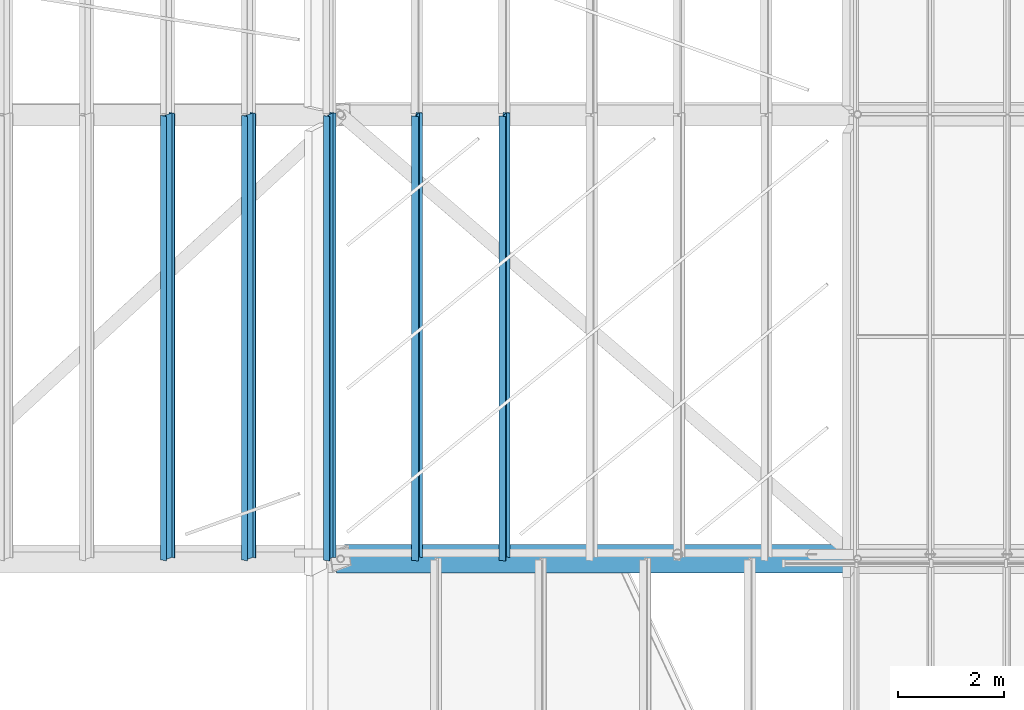
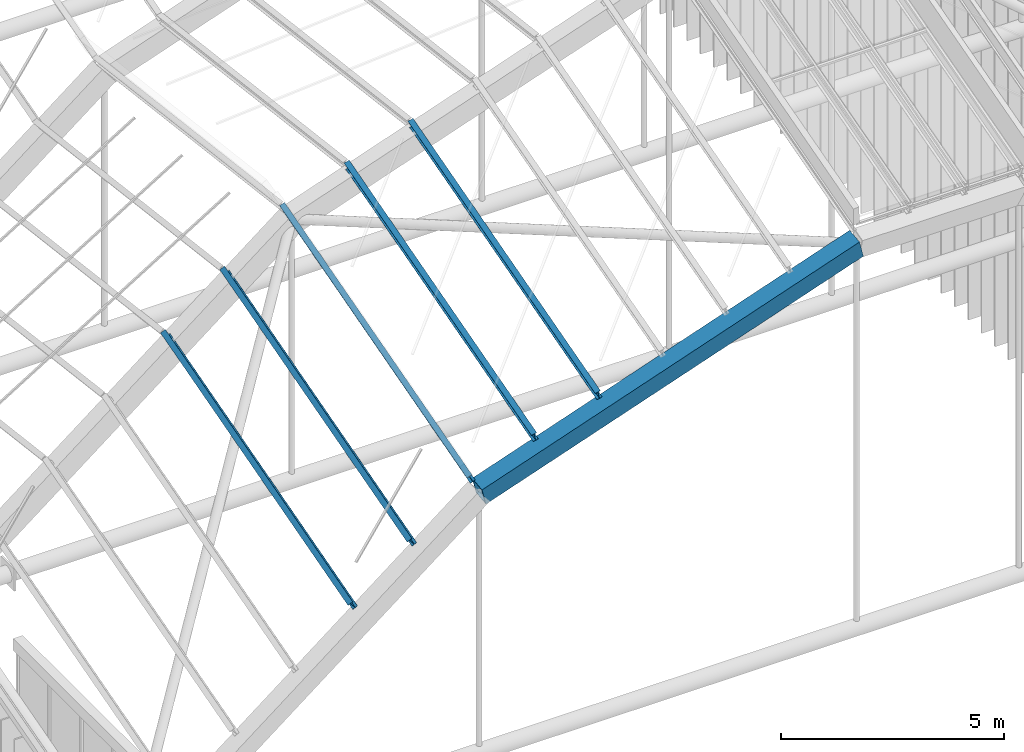
# One storey, part 16 of 126: 5 members, 1 beam.
"""IFC4 building model written with IfcOpenShell, lengths in metres."""

from ifc_helpers import new_model, si_unit, direction, frame, origin, origin_2d, place, context, subcontext, project, spatial, polyline, i_section, outline, extrude, material, material_profile, profile_set, type_object, element, save


model = new_model("IFC4")

# Units and contexts
model_context = context("Model", 3, precision=1e-05, world=origin(), true_north=direction((0.0, 1.0)))
body_context = subcontext(model_context, "Body", "Model", "MODEL_VIEW")
ifc_project = project(units=[si_unit("LENGTHUNIT", "METRE"), si_unit("AREAUNIT", "SQUARE_METRE"), si_unit("VOLUMEUNIT", "CUBIC_METRE"), si_unit("PLANEANGLEUNIT", "RADIAN"), si_unit("MASSUNIT", "GRAM", prefix="KILO")], contexts=[model_context])

# Site, building, storey
site_placement = place(None, origin())
site = spatial("IfcSite", under=ifc_project, at=site_placement, CompositionType="ELEMENT")
building_placement = place(site_placement, origin())
building = spatial("IfcBuilding", under=site, at=building_placement, Name="Sava Quay Ferry Terminal", CompositionType="ELEMENT")
storey_placement = place(building_placement, frame((0.0, 0.0, 15.0)))
storey = spatial("IfcBuildingStorey", under=building, at=storey_placement, Name="L03", CompositionType="ELEMENT", Elevation=15.0)

# Beam
ifc_material_1 = material(Name="Steel S355", Category="steel")
ifc_material_profile_1 = material_profile(ifc_material_1, outline(polyline([(-0.199951171875, -0.300048828125), (0.199951171875, -0.300048828125), (0.199951171875, 0.300048828125), (-0.199951171875, 0.300048828125), (-0.199951171875, -0.300048828125)]), holes=[polyline([(-0.175048828125, -0.27490234375), (-0.175048828125, 0.27490234375), (0.175048828125, 0.27490234375), (0.175048828125, -0.27490234375), (-0.175048828125, -0.27490234375)])]), Name="Box 600x400x25 built-up")
ifc_profile_set_1 = profile_set([ifc_material_profile_1], Name="Steel S355")
beam_type = type_object("IfcBeamType", Name="D folded rib Box 600x400x25", PredefinedType="BEAM", material=ifc_profile_set_1)
beam_placement = place(storey_placement, frame((51.1298828125, 50.39990234375, 15.533203125), z_axis=(0.945520775213, 0.0, 0.325561766247), x_axis=(-0.0834858884, 0.966561105696, 0.242465946875)))
element("IfcBeam", 1, at=beam_placement, inside=storey, type_object=beam_type, Name="Departure hall folded rib R0 seg 2", PredefinedType="BEAM", context=body_context, shape_type="SweptSolid", body=[
    extrude(outline(polyline([(-0.199951171875, -0.300048828125), (0.199951171875, -0.300048828125), (0.199951171875, 0.300048828125), (-0.199951171875, 0.300048828125), (-0.199951171875, -0.300048828125)]), holes=[polyline([(-0.175048828125, -0.27490234375), (-0.175048828125, 0.27490234375), (0.175048828125, 0.27490234375), (0.175048828125, -0.27490234375), (-0.175048828125, -0.27490234375)])]), origin(), (0.0, 0.0, 1.0), 10.3330078125),
])

# Members
ifc_material_2 = material(Name="Steel S355", Category="steel")
ifc_material_profile_2 = material_profile(ifc_material_2, i_section(OverallWidth=0.135009765625, OverallDepth=0.27001953125, WebThickness=0.006591796875, FlangeThickness=0.01025390625, at=origin_2d()), Name="IPE 270")
ifc_profile_set_2 = profile_set([ifc_material_profile_2], Name="Steel S355")
member_type = type_object("IfcMemberType", Name="Roof purlin IPE 270", PredefinedType="PURLIN", material=ifc_profile_set_2)
for number, where, z_axis, x_axis, name in (
    (2, (47.863037109375, 50.39990234375, 13.546142578125), (0.0, 0.962818275279, 0.270149900588), (-0.799142410931, 0.162398384779, -0.578790265703), "Departure hall purlin bay 1 M0.4"),
    (3, (49.394287109375, 50.39990234375, 14.742431640625), (0.0, 0.962818275279, 0.270149900588), (-0.799142410931, 0.162398384779, -0.578790265703), "Departure hall purlin bay 1 M0.5"),
    (4, (50.925537109375, 50.39990234375, 15.938720703125), (0.0, 0.962818275279, 0.270149900588), (-0.885826064608, 0.12535426489, -0.446764469866), "Departure hall purlin bay 1 V1"),
    (5, (52.576171875, 50.39990234375, 16.507080078125), (0.0, 0.962818275279, 0.270149900588), (-0.949197315574, 0.08501118009, -0.302981113877), "Departure hall purlin bay 1 M1.1"),
    (6, (54.226806640625, 50.39990234375, 17.075439453125), (0.0, 0.962818275279, 0.270149900588), (-0.949197315574, 0.08501118009, -0.302981113877), "Departure hall purlin bay 1 M1.2"),
):
    element("IfcMember", number, at=place(storey_placement, frame(where, z_axis=z_axis, x_axis=x_axis)), inside=storey, type_object=member_type, Name=name, PredefinedType="PURLIN", context=body_context, shape_type="SweptSolid", body=[
        extrude(i_section(OverallWidth=0.135009765625, OverallDepth=0.27001953125, WebThickness=0.006591796875, FlangeThickness=0.01025390625, at=origin_2d()), origin(), (0.0, 0.0, 1.0), 8.724609375),
    ])

save(model, "model.ifc")
